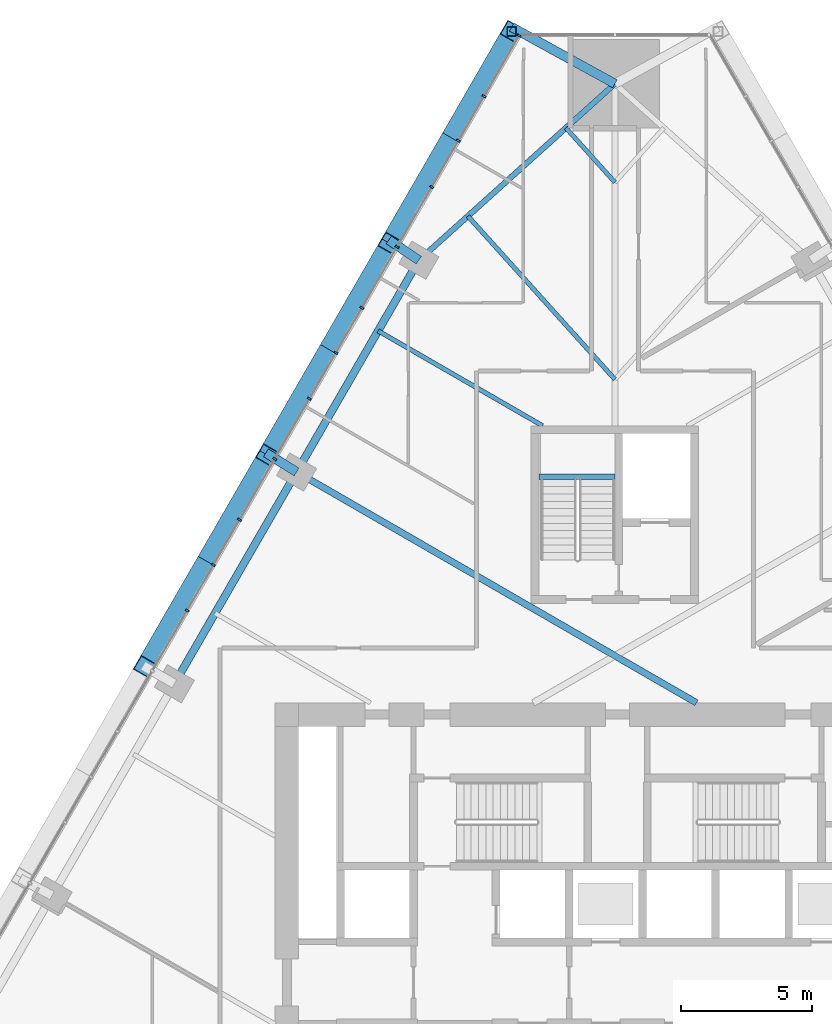
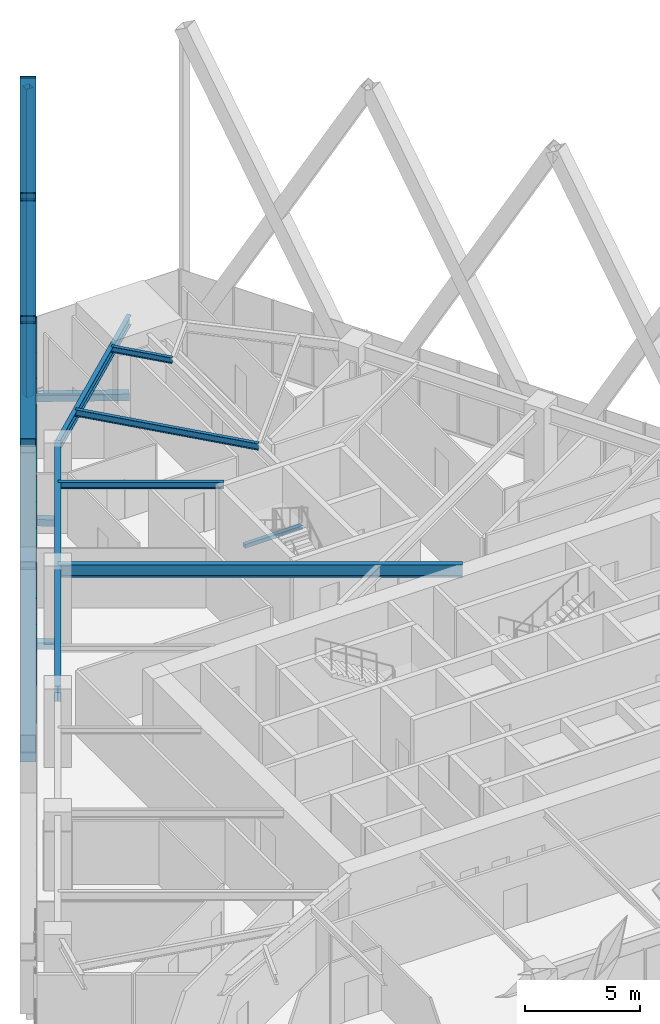
# One storey, part 10 of 21: 22 members, 7 beams, 1 element without a shape of its own.
"""IFC4 building model written with IfcOpenShell, lengths in metres."""

from ifc_helpers import new_model, si_unit, direction, frame, origin, origin_2d, place, context, subcontext, project, spatial, rectangle, hollow_rectangle, i_section, extrude, material, layer, layer_set, material_profile, profile_set, type_object, element, aggregate, save


model = new_model("IFC4")

# Units and contexts
model_context = context("Model", 3, precision=1e-05, world=origin(), true_north=direction((0.0, 1.0)))
body_context = subcontext(model_context, "Body", "Model", "MODEL_VIEW")
ifc_project = project(units=[si_unit("LENGTHUNIT", "METRE"), si_unit("AREAUNIT", "SQUARE_METRE"), si_unit("VOLUMEUNIT", "CUBIC_METRE"), si_unit("PLANEANGLEUNIT", "RADIAN"), si_unit("MASSUNIT", "GRAM", prefix="KILO")], contexts=[model_context])

# Site, building, storey
site_placement = place(None, origin())
site = spatial("IfcSite", under=ifc_project, at=site_placement, CompositionType="ELEMENT")
building_placement = place(site_placement, origin())
building = spatial("IfcBuilding", under=site, at=building_placement, Name="Firuza Gate Tower and Library", CompositionType="ELEMENT")
storey_placement = place(building_placement, frame((0.0, 0.0, 107.199951171875)))
storey = spatial("IfcBuildingStorey", under=building, at=storey_placement, Name="L24", CompositionType="ELEMENT", Elevation=107.199951171875)

# Members
ifc_material_1 = material(Name="Steel S355", Category="steel")
ifc_material_profile_1 = material_profile(ifc_material_1, hollow_rectangle(XDim=0.699951171875, YDim=0.699951171875, WallThickness=0.030029296875, at=origin_2d()))
ifc_profile_set_1 = profile_set([ifc_material_profile_1], Name="Steel S355")
member_type_1 = type_object("IfcMemberType", Name="BU700x700x30 Lattice brace", PredefinedType="BRACE", material=ifc_profile_set_1)
for number, where, z_axis, x_axis, name in (
    (1, (71.0537109375, 109.682373046875, 0.0), (-0.243242058194, -0.421299612433, 0.873693274376), (0.866021297244, -0.500007112669, 0.0), "Lattice brace W 5.1R"),
    (2, (66.37646484375, 101.581298828125, 0.0), (0.243242058194, 0.421299612433, 0.873693274376), (-0.866021297244, 0.500007112669, 0.0), "Lattice brace W 5.1L"),
):
    element("IfcMember", number, at=place(storey_placement, frame(where, z_axis=z_axis, x_axis=x_axis)), inside=storey, type_object=member_type_1, Name=name, PredefinedType="BRACE", context=body_context, shape_type="SweptSolid", body=[
        extrude(hollow_rectangle(XDim=0.699951171875, YDim=0.699951171875, WallThickness=0.030029296875, at=origin_2d()), origin(), (0.0, 0.0, 1.0), 19.228759765625),
    ])
for number, where, z_axis, x_axis, name in (
    (3, (66.37646484375, 101.581298828125, 0.0), (-0.243231413783, -0.421290470362, 0.873700646063), (0.866026073768, -0.499998839552, 0.0), "Lattice brace W 5.2R"),
    (4, (61.699462890625, 93.48046875, 0.0), (0.243231413783, 0.421290470362, 0.873700646063), (-0.866026073768, 0.499998839552, 0.0), "Lattice brace W 5.2L"),
):
    element("IfcMember", number, at=place(storey_placement, frame(where, z_axis=z_axis, x_axis=x_axis)), inside=storey, type_object=member_type_1, Name=name, PredefinedType="BRACE", context=body_context, shape_type="SweptSolid", body=[
        extrude(hollow_rectangle(XDim=0.699951171875, YDim=0.699951171875, WallThickness=0.030029296875, at=origin_2d()), origin(), (0.0, 0.0, 1.0), 19.228515625),
    ])
for number, where, z_axis, x_axis, name in (
    (5, (61.699462890625, 93.48046875, 0.0), (-0.243242058194, -0.421299612433, 0.873693274376), (0.866021297244, -0.500007112669, 0.0), "Lattice brace W 5.3R"),
    (6, (57.022216796875, 85.37939453125, 0.0), (0.243242058194, 0.421299612433, 0.873693274376), (-0.866021297244, 0.500007112669, 0.0), "Lattice brace W 5.3L"),
):
    element("IfcMember", number, at=place(storey_placement, frame(where, z_axis=z_axis, x_axis=x_axis)), inside=storey, type_object=member_type_1, Name=name, PredefinedType="BRACE", context=body_context, shape_type="SweptSolid", body=[
        extrude(hollow_rectangle(XDim=0.699951171875, YDim=0.699951171875, WallThickness=0.030029296875, at=origin_2d()), origin(), (0.0, 0.0, 1.0), 19.228759765625),
    ])

# Curtain wall, members
ifc_material_2 = material(Name="Aluminium 6063-T6", Category="aluminium")
ifc_layer = layer(ifc_material_2, 0.14990234375)
ifc_layer_set = layer_set([ifc_layer], Name="Unitised curtain wall, offices")
curtain_wall_type = type_object("IfcCurtainWallType", Name="Unitised curtain wall, offices", PredefinedType="NOTDEFINED", material=ifc_layer_set)
curtain_wall_placement = place(storey_placement, origin())
curtain_wall = element("IfcCurtainWall", 7, at=curtain_wall_placement, inside=storey, type_object=curtain_wall_type, Name="CW1 L24 W face", PredefinedType="NOTDEFINED")
ifc_material_3 = material(Name="Aluminium 6063-T6", Category="aluminium")
ifc_material_profile_2 = material_profile(ifc_material_3, rectangle(XDim=0.14990234375, YDim=0.080078125, at=origin_2d()))
ifc_profile_set_2 = profile_set([ifc_material_profile_2], Name="Aluminium 6063-T6")
member_type_2 = type_object("IfcMemberType", Name="Curtain wall mullion 80x150", PredefinedType="MULLION", material=ifc_profile_set_2)
member_1_placement = place(storey_placement, frame((71.336669921875, 109.522705078125, 0.150146484375), z_axis=(0.0, 0.0, 1.0), x_axis=(0.866025403784, -0.5, 0.0)))
member_1 = element("IfcMember", 8, at=member_1_placement, type_object=member_type_2, Name="Mullion", PredefinedType="MULLION", context=body_context, shape_type="SweptSolid", body=[
    extrude(rectangle(XDim=0.14990234375, YDim=0.080078125, at=origin_2d()), origin(), (0.0, 0.0, 1.0), 3.849853515625),
])
member_2_placement = place(storey_placement, frame((69.0146484375, 105.500732421875, 0.150146484375), z_axis=(0.0, 0.0, 1.0), x_axis=(0.866025403784, -0.5, 0.0)))
member_2 = element("IfcMember", 9, at=member_2_placement, type_object=member_type_2, Name="Mullion", PredefinedType="MULLION", context=body_context, shape_type="SweptSolid", body=[
    extrude(rectangle(XDim=0.14990234375, YDim=0.080078125, at=origin_2d()), origin(), (0.0, 0.0, 1.0), 3.849853515625),
])
member_3_placement = place(storey_placement, frame((66.67236328125, 101.44384765625, 0.150146484375), z_axis=(0.0, 0.0, 1.0), x_axis=(0.866025403784, -0.5, 0.0)))
member_3 = element("IfcMember", 10, at=member_3_placement, type_object=member_type_2, Name="Mullion", PredefinedType="MULLION", context=body_context, shape_type="SweptSolid", body=[
    extrude(rectangle(XDim=0.14990234375, YDim=0.080078125, at=origin_2d()), origin(), (0.0, 0.0, 1.0), 3.849853515625),
])
member_4_placement = place(storey_placement, frame((64.330322265625, 97.38720703125, 0.150146484375), z_axis=(0.0, 0.0, 1.0), x_axis=(0.866025403784, -0.5, 0.0)))
member_4 = element("IfcMember", 11, at=member_4_placement, type_object=member_type_2, Name="Mullion", PredefinedType="MULLION", context=body_context, shape_type="SweptSolid", body=[
    extrude(rectangle(XDim=0.14990234375, YDim=0.080078125, at=origin_2d()), origin(), (0.0, 0.0, 1.0), 3.849853515625),
])
member_5_placement = place(storey_placement, frame((61.988037109375, 93.330322265625, 0.150146484375), z_axis=(0.0, 0.0, 1.0), x_axis=(0.866025403784, -0.5, 0.0)))
member_5 = element("IfcMember", 12, at=member_5_placement, type_object=member_type_2, Name="Mullion", PredefinedType="MULLION", context=body_context, shape_type="SweptSolid", body=[
    extrude(rectangle(XDim=0.14990234375, YDim=0.080078125, at=origin_2d()), origin(), (0.0, 0.0, 1.0), 3.849853515625),
])
member_6_placement = place(storey_placement, frame((59.64599609375, 89.273681640625, 0.150146484375), z_axis=(0.0, 0.0, 1.0), x_axis=(0.866025403784, -0.5, 0.0)))
member_6 = element("IfcMember", 13, at=member_6_placement, type_object=member_type_2, Name="Mullion", PredefinedType="MULLION", context=body_context, shape_type="SweptSolid", body=[
    extrude(rectangle(XDim=0.14990234375, YDim=0.080078125, at=origin_2d()), origin(), (0.0, 0.0, 1.0), 3.849853515625),
])
member_7_placement = place(storey_placement, frame((69.99853515625, 107.205322265625, 0.150146484375), z_axis=(0.0, 0.0, 1.0), x_axis=(0.866025403784, -0.5, 0.0)))
member_7 = element("IfcMember", 14, at=member_7_placement, type_object=member_type_2, Name="Mullion", PredefinedType="MULLION", context=body_context, shape_type="SweptSolid", body=[
    extrude(rectangle(XDim=0.14990234375, YDim=0.080078125, at=origin_2d()), origin(), (0.0, 0.0, 1.0), 3.849853515625),
])
member_8_placement = place(storey_placement, frame((67.994384765625, 103.733642578125, 0.150146484375), z_axis=(0.0, 0.0, 1.0), x_axis=(0.866025403784, -0.5, 0.0)))
member_8 = element("IfcMember", 15, at=member_8_placement, type_object=member_type_2, Name="Mullion", PredefinedType="MULLION", context=body_context, shape_type="SweptSolid", body=[
    extrude(rectangle(XDim=0.14990234375, YDim=0.080078125, at=origin_2d()), origin(), (0.0, 0.0, 1.0), 3.849853515625),
])
member_9_placement = place(storey_placement, frame((65.321533203125, 99.104248046875, 0.150146484375), z_axis=(0.0, 0.0, 1.0), x_axis=(0.866025403784, -0.5, 0.0)))
member_9 = element("IfcMember", 16, at=member_9_placement, type_object=member_type_2, Name="Mullion", PredefinedType="MULLION", context=body_context, shape_type="SweptSolid", body=[
    extrude(rectangle(XDim=0.14990234375, YDim=0.080078125, at=origin_2d()), origin(), (0.0, 0.0, 1.0), 3.849853515625),
])
member_10_placement = place(storey_placement, frame((63.317138671875, 95.632568359375, 0.150146484375), z_axis=(0.0, 0.0, 1.0), x_axis=(0.866025403784, -0.5, 0.0)))
member_10 = element("IfcMember", 17, at=member_10_placement, type_object=member_type_2, Name="Mullion", PredefinedType="MULLION", context=body_context, shape_type="SweptSolid", body=[
    extrude(rectangle(XDim=0.14990234375, YDim=0.080078125, at=origin_2d()), origin(), (0.0, 0.0, 1.0), 3.849853515625),
])
member_11_placement = place(storey_placement, frame((60.64453125, 91.003173828125, 0.150146484375), z_axis=(0.0, 0.0, 1.0), x_axis=(0.866025403784, -0.5, 0.0)))
member_11 = element("IfcMember", 18, at=member_11_placement, type_object=member_type_2, Name="Mullion", PredefinedType="MULLION", context=body_context, shape_type="SweptSolid", body=[
    extrude(rectangle(XDim=0.14990234375, YDim=0.080078125, at=origin_2d()), origin(), (0.0, 0.0, 1.0), 3.849853515625),
])
member_12_placement = place(storey_placement, frame((58.64013671875, 87.53173828125, 0.150146484375), z_axis=(0.0, 0.0, 1.0), x_axis=(0.866025403784, -0.5, 0.0)))
member_12 = element("IfcMember", 19, at=member_12_placement, type_object=member_type_2, Name="Mullion", PredefinedType="MULLION", context=body_context, shape_type="SweptSolid", body=[
    extrude(rectangle(XDim=0.14990234375, YDim=0.080078125, at=origin_2d()), origin(), (0.0, 0.0, 1.0), 3.849853515625),
])
aggregate(curtain_wall, [member_1, member_2, member_3, member_4, member_5, member_6, member_7, member_8, member_9, member_10, member_11, member_12])

# Members
ifc_material_4 = material(Name="Steel S355", Category="steel")
ifc_material_profile_3 = material_profile(ifc_material_4, hollow_rectangle(XDim=0.355712890625, YDim=0.355712890625, WallThickness=0.014892578125, at=origin_2d()))
ifc_profile_set_3 = profile_set([ifc_material_profile_3], Name="Steel S355")
member_type_3 = type_object("IfcMemberType", Name="HSS356x356x16 Lattice corner stile", PredefinedType="BRACE", material=ifc_profile_set_3)
member_13_placement = place(storey_placement, frame((71.0537109375, 109.682373046875, -0.139892578125), z_axis=(0.0, 0.0, 1.0), x_axis=(1.0, 0.0, 0.0)))
element("IfcMember", 20, at=member_13_placement, inside=storey, type_object=member_type_3, Name="Lattice corner stile W 5.A", PredefinedType="BRACE", context=body_context, shape_type="SweptSolid", body=[
    extrude(hollow_rectangle(XDim=0.355712890625, YDim=0.355712890625, WallThickness=0.014892578125, at=origin_2d()), origin(), (0.0, 0.0, 1.0), 16.43994140625),
])
ifc_material_5 = material(Name="Steel S355", Category="steel")
ifc_material_profile_4 = material_profile(ifc_material_5, hollow_rectangle(XDim=0.355712890625, YDim=0.355712890625, WallThickness=0.014892578125, at=origin_2d()))
ifc_profile_set_4 = profile_set([ifc_material_profile_4], Name="Steel S355")
member_type_4 = type_object("IfcMemberType", Name="HSS356x356x16 Lattice node tie", PredefinedType="BRACE", material=ifc_profile_set_4)
member_14_placement = place(storey_placement, frame((62.8251953125, 92.830322265625, -0.320068359375), z_axis=(-0.847691426785, 0.530489627566, 0.0), x_axis=(-0.530489627566, -0.847691426785, 0.0)))
element("IfcMember", 21, at=member_14_placement, inside=storey, type_object=member_type_4, Name="Lattice node tie W L24 103", PredefinedType="BRACE", context=body_context, shape_type="SweptSolid", body=[
    extrude(hollow_rectangle(XDim=0.355712890625, YDim=0.355712890625, WallThickness=0.014892578125, at=origin_2d()), origin(), (0.0, 0.0, 1.0), 1.38623046875),
])
member_15_placement = place(storey_placement, frame((67.502197265625, 100.931396484375, -0.320068359375), z_axis=(-0.828408179882, 0.560124885633, 0.0), x_axis=(-0.560124885633, -0.828408179882, 0.0)))
element("IfcMember", 22, at=member_15_placement, inside=storey, type_object=member_type_4, Name="Lattice node tie W L24 104", PredefinedType="BRACE", context=body_context, shape_type="SweptSolid", body=[
    extrude(hollow_rectangle(XDim=0.355712890625, YDim=0.355712890625, WallThickness=0.014892578125, at=origin_2d()), origin(), (0.0, 0.0, 1.0), 1.388671875),
])
member_16_placement = place(storey_placement, frame((75.0, 107.682373046875, -0.320068359375), z_axis=(-0.876220486676, 0.481910426043, 0.0), x_axis=(-0.481910426043, -0.876220486676, 0.0)))
element("IfcMember", 23, at=member_16_placement, inside=storey, type_object=member_type_4, Name="Lattice node tie W L24 105", PredefinedType="BRACE", context=body_context, shape_type="SweptSolid", body=[
    extrude(hollow_rectangle(XDim=0.355712890625, YDim=0.355712890625, WallThickness=0.014892578125, at=origin_2d()), origin(), (0.0, 0.0, 1.0), 4.503662109375),
])

# Beams
ifc_material_6 = material(Name="Concrete C35/45", Category="concrete")
ifc_material_profile_5 = material_profile(ifc_material_6, rectangle(XDim=0.199951171875, YDim=0.199951171875, at=origin_2d()))
ifc_profile_set_5 = profile_set([ifc_material_profile_5], Name="Concrete C35/45")
beam_type_1 = type_object("IfcBeamType", Name="Stair landing bearer 200x200", PredefinedType="BEAM", material=ifc_profile_set_5)
beam_1_placement = place(storey_placement, frame((75.0, 92.64990234375, 1.800048828125), z_axis=(-1.0, 0.0, 0.0), x_axis=(0.0, -1.0, 0.0)))
element("IfcBeam", 24, at=beam_1_placement, inside=storey, type_object=beam_type_1, Name="Landing bearer L24 stair 3", PredefinedType="BEAM", context=body_context, shape_type="SweptSolid", body=[
    extrude(rectangle(XDim=0.199951171875, YDim=0.199951171875, at=origin_2d()), origin(), (0.0, 0.0, 1.0), 2.89990234375),
])
ifc_material_7 = material(Name="Steel S355", Category="steel")
ifc_material_profile_6 = material_profile(ifc_material_7, i_section(OverallWidth=0.1650390625, OverallDepth=0.31005859375, WebThickness=0.005859375, FlangeThickness=0.009765625, at=origin_2d()))
ifc_profile_set_6 = profile_set([ifc_material_profile_6], Name="Steel S355")
beam_type_2 = type_object("IfcBeamType", Name="W310x39 Floor beam", PredefinedType="JOIST", material=ifc_profile_set_6)
beam_2_placement = place(storey_placement, frame((73.12548828125, 105.99462890625, 3.844970703125), z_axis=(0.669142865717, -0.743133786919, 0.0), x_axis=(0.743133786919, 0.669142865717, 0.0)))
element("IfcBeam", 25, at=beam_2_placement, inside=storey, type_object=beam_type_2, Name="Floor beam L24 s70", PredefinedType="JOIST", context=body_context, shape_type="SweptSolid", body=[
    extrude(i_section(OverallWidth=0.1650390625, OverallDepth=0.31005859375, WebThickness=0.005859375, FlangeThickness=0.009765625, at=origin_2d()), origin(), (0.0, 0.0, 1.0), 2.80126953125),
])
ifc_material_8 = material(Name="Steel S355", Category="steel")
ifc_material_profile_7 = material_profile(ifc_material_8, i_section(OverallWidth=0.1708984375, OverallDepth=0.35498046875, WebThickness=0.007080078125, FlangeThickness=0.01171875, at=origin_2d()))
ifc_profile_set_7 = profile_set([ifc_material_profile_7], Name="Steel S355")
beam_type_3 = type_object("IfcBeamType", Name="W360x51 Floor beam", PredefinedType="JOIST", material=ifc_profile_set_7)
beam_3_placement = place(storey_placement, frame((69.376708984375, 102.619140625, 3.822509765625), z_axis=(0.669141268318, -0.743135225267, 0.0), x_axis=(0.743135225267, 0.669141268318, 0.0)))
element("IfcBeam", 26, at=beam_3_placement, inside=storey, type_object=beam_type_3, Name="Floor beam L24 s71", PredefinedType="JOIST", context=body_context, shape_type="SweptSolid", body=[
    extrude(i_section(OverallWidth=0.1708984375, OverallDepth=0.35498046875, WebThickness=0.007080078125, FlangeThickness=0.01171875, at=origin_2d()), origin(), (0.0, 0.0, 1.0), 8.40380859375),
])
beam_4_placement = place(storey_placement, frame((65.943359375, 98.231201171875, 3.822509765625), z_axis=(0.866018750047, -0.500011524435, 0.0), x_axis=(0.500011524435, 0.866018750047, 0.0)))
element("IfcBeam", 27, at=beam_4_placement, inside=storey, type_object=beam_type_3, Name="Floor beam L24 s80", PredefinedType="JOIST", context=body_context, shape_type="SweptSolid", body=[
    extrude(i_section(OverallWidth=0.1708984375, OverallDepth=0.35498046875, WebThickness=0.007080078125, FlangeThickness=0.01171875, at=origin_2d()), origin(), (0.0, 0.0, 1.0), 7.261962890625),
])
ifc_material_9 = material(Name="Steel S355", Category="steel")
ifc_material_profile_8 = material_profile(ifc_material_9, i_section(OverallWidth=0.212890625, OverallDepth=0.5390625, WebThickness=0.01171875, FlangeThickness=0.018798828125, at=origin_2d()))
ifc_profile_set_8 = profile_set([ifc_material_profile_8], Name="Steel S355")
beam_type_4 = type_object("IfcBeamType", Name="W530x109 Edge beam", PredefinedType="SPANDREL", material=ifc_profile_set_8)
beam_5_placement = place(storey_placement, frame((75.0, 107.682373046875, 3.73046875), z_axis=(-0.743148538836, -0.669126482234, 0.0), x_axis=(0.669126482234, -0.743148538836, 0.0)))
element("IfcBeam", 28, at=beam_5_placement, inside=storey, type_object=beam_type_4, Name="Edge beam L24 e70", PredefinedType="SPANDREL", context=body_context, shape_type="SweptSolid", body=[
    extrude(i_section(OverallWidth=0.212890625, OverallDepth=0.5390625, WebThickness=0.01171875, FlangeThickness=0.018798828125, at=origin_2d()), origin(), (0.0, 0.0, 1.0), 10.08935546875),
])
ifc_material_10 = material(Name="Steel S355", Category="steel")
ifc_material_profile_9 = material_profile(ifc_material_10, i_section(OverallWidth=0.2529296875, OverallDepth=0.677978515625, WebThickness=0.01171875, FlangeThickness=0.016357421875, at=origin_2d()))
ifc_profile_set_9 = profile_set([ifc_material_profile_9], Name="Steel S355")
beam_type_5 = type_object("IfcBeamType", Name="W690x125 Floor beam", PredefinedType="JOIST", material=ifc_profile_set_9)
beam_6_placement = place(storey_placement, frame((62.8251953125, 92.830322265625, 3.6611328125), z_axis=(0.866026973973, -0.499997280343, 0.0), x_axis=(0.499997280343, 0.866026973973, 0.0)))
element("IfcBeam", 29, at=beam_6_placement, inside=storey, type_object=beam_type_5, Name="Floor beam L24 s81", PredefinedType="JOIST", context=body_context, shape_type="SweptSolid", body=[
    extrude(i_section(OverallWidth=0.2529296875, OverallDepth=0.677978515625, WebThickness=0.01171875, FlangeThickness=0.016357421875, at=origin_2d()), origin(), (0.0, 0.0, 1.0), 17.66064453125),
])
ifc_material_11 = material(Name="Steel S355", Category="steel")
ifc_material_profile_10 = material_profile(ifc_material_11, i_section(OverallWidth=0.2919921875, OverallDepth=0.8349609375, WebThickness=0.013916015625, FlangeThickness=0.018798828125, at=origin_2d()))
ifc_profile_set_10 = profile_set([ifc_material_profile_10], Name="Steel S355")
beam_type_6 = type_object("IfcBeamType", Name="W840x176 Edge beam", PredefinedType="SPANDREL", material=ifc_profile_set_10)
beam_7_placement = place(storey_placement, frame((67.502197265625, 100.931396484375, 3.58251953125), z_axis=(-0.499993188785, -0.866029336205, 0.0), x_axis=(0.866029336205, -0.499993188785, 0.0)))
element("IfcBeam", 30, at=beam_7_placement, inside=storey, type_object=beam_type_6, Name="Edge beam L24 e80", PredefinedType="SPANDREL", context=body_context, shape_type="SweptSolid", body=[
    extrude(i_section(OverallWidth=0.2919921875, OverallDepth=0.8349609375, WebThickness=0.013916015625, FlangeThickness=0.018798828125, at=origin_2d()), origin(), (0.0, 0.0, 1.0), 18.708251953125),
])

save(model, "model.ifc")
